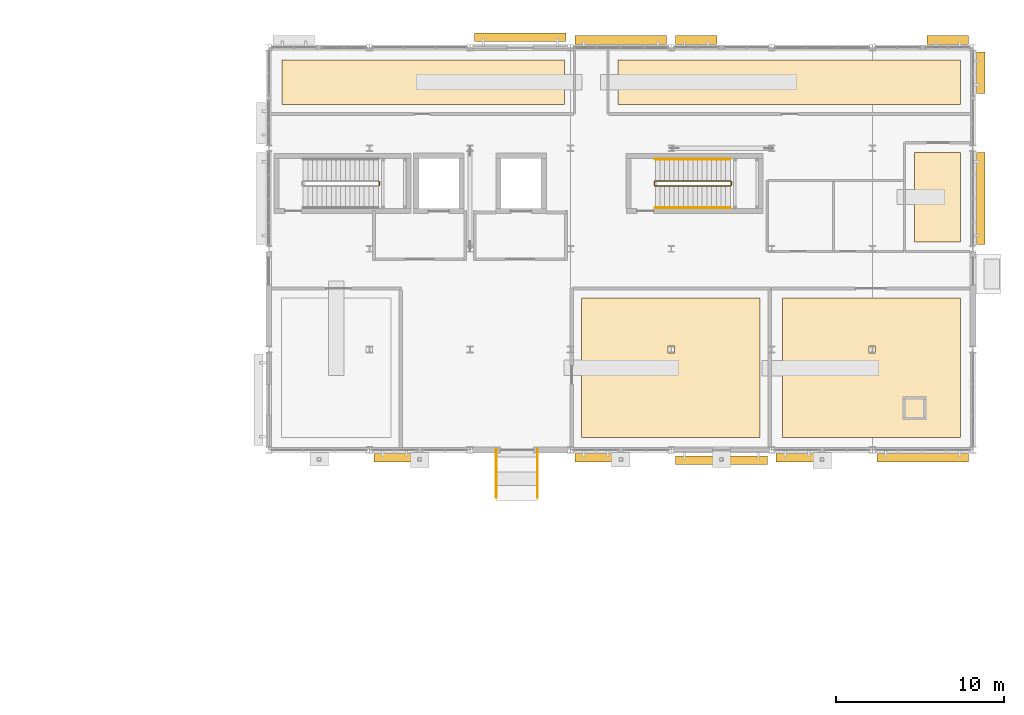
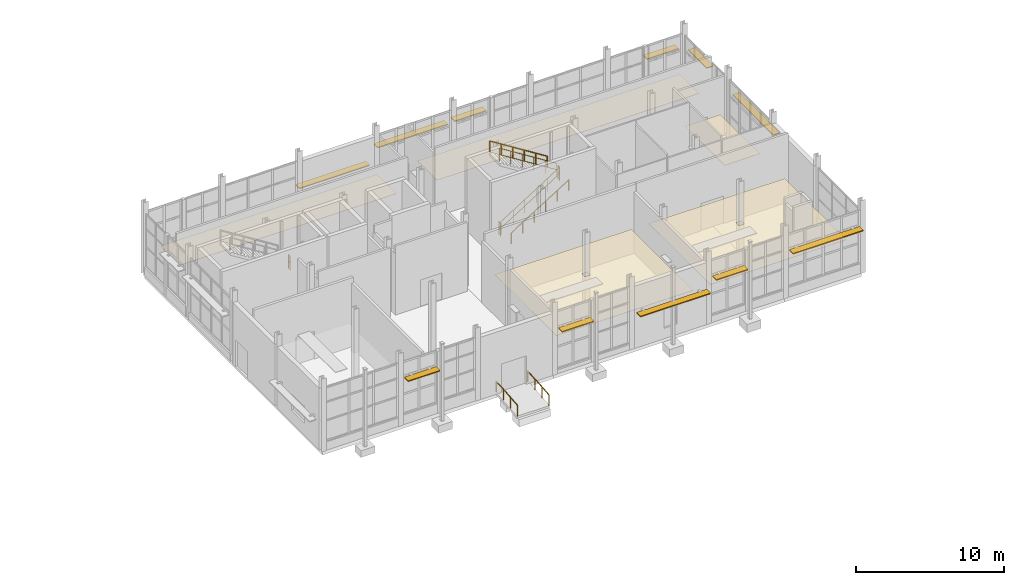
# One storey, part 119 of 120: 11 shading devices, 9 railings, 5 coverings.
"""IFC4 building model written with IfcOpenShell, lengths in metres."""

from ifc_helpers import new_model, si_unit, direction, frame, origin, origin_2d, place, context, subcontext, project, spatial, polyline, rectangle, circle, outline, extrude, material, layer, layer_set, type_object, element, save


model = new_model("IFC4")

# Units and contexts
model_context = context("Model", 3, precision=1e-05, world=origin(), true_north=direction((0.0, 1.0)))
body_context = subcontext(model_context, "Body", "Model", "MODEL_VIEW")
ifc_project = project(units=[si_unit("LENGTHUNIT", "METRE"), si_unit("AREAUNIT", "SQUARE_METRE"), si_unit("VOLUMEUNIT", "CUBIC_METRE"), si_unit("PLANEANGLEUNIT", "RADIAN"), si_unit("MASSUNIT", "GRAM", prefix="KILO")], contexts=[model_context])

# Site, building, storey
site_placement = place(None, origin())
site = spatial("IfcSite", under=ifc_project, at=site_placement, CompositionType="ELEMENT")
building_placement = place(site_placement, origin())
building = spatial("IfcBuilding", under=site, at=building_placement, Name="Siltcreek Boulevard Central Fire Station", CompositionType="ELEMENT")
storey_placement = place(building_placement, origin())
storey = spatial("IfcBuildingStorey", under=building, at=storey_placement, Name="L01", CompositionType="ELEMENT", Elevation=0.0)

# Coverings
ifc_material_1 = material(Name="Mineral-fiber acoustic ceiling tile", Category="gypsum")
ifc_layer_1 = layer(ifc_material_1, 0.02490234375, Name="Mineral-fiber acoustic ceiling tile")
ifc_layer_set_1 = layer_set([ifc_layer_1], Name="Mineral-fiber acoustic ceiling tile")
covering_type = type_object("IfcCoveringType", Name="COV_CEIL_ACT", PredefinedType="CEILING", material=ifc_layer_set_1)
covering_1_placement = place(storey_placement, frame((0.0, 0.0, 2.419921875)))
element("IfcCovering", 1, at=covering_1_placement, inside=storey, type_object=covering_type, Name="L01 Fire Prevention Bureau Office acoustic ceiling ACT-005", PredefinedType="CEILING", context=body_context, shape_type="SweptSolid", body=[
    extrude(outline(polyline([(142.85009765625, 88.949951171875), (153.5, 88.949951171875), (153.5, 97.260009765625), (142.85009765625, 97.260009765625), (142.85009765625, 88.949951171875)]), holes=[polyline([(148.0, 94.0), (148.39990234375, 94.0), (148.39990234375, 94.39990234375), (148.0, 94.39990234375), (148.0, 94.0)])]), origin(), (0.0, 0.0, 1.0), 0.025146484375),
])
covering_2_placement = place(storey_placement, frame((0.0, 0.0, 2.419921875)))
element("IfcCovering", 2, at=covering_2_placement, inside=storey, type_object=covering_type, Name="L01 Engineering Plan Review Suite acoustic ceiling ACT-006", PredefinedType="CEILING", context=body_context, shape_type="SweptSolid", body=[
    extrude(outline(polyline([(154.85009765625, 88.949951171875), (165.449951171875, 88.949951171875), (165.449951171875, 97.260009765625), (154.85009765625, 97.260009765625), (154.85009765625, 88.949951171875)]), holes=[polyline([(160.0, 94.0), (160.39990234375, 94.0), (160.39990234375, 94.39990234375), (160.0, 94.39990234375), (160.0, 94.0)])]), origin(), (0.0, 0.0, 1.0), 0.025146484375),
])
covering_3_placement = place(storey_placement, frame((0.0, 0.0, 2.419921875)))
element("IfcCovering", 3, at=covering_3_placement, inside=storey, type_object=covering_type, Name="L01 Public Records and Hydrant Map Room acoustic ceiling ACT-007", PredefinedType="CEILING", context=body_context, shape_type="SweptSolid", body=[
    extrude(outline(polyline([(125.0, 108.820068359375), (141.85009765625, 108.820068359375), (141.85009765625, 111.449951171875), (125.0, 111.449951171875), (125.0, 108.820068359375)])), origin(), (0.0, 0.0, 1.0), 0.025146484375),
])
covering_4_placement = place(storey_placement, frame((0.0, 0.0, 2.419921875)))
element("IfcCovering", 4, at=covering_4_placement, inside=storey, type_object=covering_type, Name="L01 Community Risk Reduction Office acoustic ceiling ACT-008", PredefinedType="CEILING", context=body_context, shape_type="SweptSolid", body=[
    extrude(outline(polyline([(145.02001953125, 108.820068359375), (165.449951171875, 108.820068359375), (165.449951171875, 111.449951171875), (145.02001953125, 111.449951171875), (145.02001953125, 108.820068359375)])), origin(), (0.0, 0.0, 1.0), 0.025146484375),
])
covering_5_placement = place(storey_placement, frame((0.0, 0.0, 2.419921875)))
element("IfcCovering", 5, at=covering_5_placement, inside=storey, type_object=covering_type, Name="L01 Permit Consultation Room acoustic ceiling ACT-009", PredefinedType="CEILING", context=body_context, shape_type="SweptSolid", body=[
    extrude(outline(polyline([(162.699951171875, 100.6201171875), (165.449951171875, 100.6201171875), (165.449951171875, 105.949951171875), (162.699951171875, 105.949951171875), (162.699951171875, 100.6201171875)])), origin(), (0.0, 0.0, 1.0), 0.025146484375),
])

# Railings
ifc_material_2 = material(Name="Painted galvanized steel stair guard", Category="steel")
railing_type_1 = type_object("IfcRailingType", Name="RL_ST_GUARD", PredefinedType="BALUSTRADE", material=ifc_material_2)
railing_1_placement = place(storey_placement, frame((130.780029296875, 104.0, 3.0)))
element("IfcRailing", 6, at=railing_1_placement, inside=storey, type_object=railing_type_1, Name="L01 ST-V5A stair guard 2", PredefinedType="BALUSTRADE", context=body_context, shape_type="SweptSolid", body=[
    extrude(circle(Radius=0.02392578125, at=origin_2d()), frame((0.0, 0.0, 1.076171875), z_axis=(0.0, 1.0, 0.0), x_axis=(-1.0, 0.0, 0.0)), (0.0, 0.0, 1.0), 0.199951171875),
    extrude(circle(Radius=0.02392578125, at=origin_2d()), frame((0.0, 0.0, 0.550048828125), z_axis=(0.0, 1.0, 0.0), x_axis=(-1.0, 0.0, 0.0)), (0.0, 0.0, 1.0), 0.199951171875),
    extrude(circle(Radius=0.02099609375, at=origin_2d()), origin(), (0.0, 0.0, 1.0), 1.052001953125),
    extrude(circle(Radius=0.02099609375, at=origin_2d()), frame((0.0, 0.199951171875, 0.0)), (0.0, 0.0, 1.0), 1.052001953125),
])
railing_2_placement = place(storey_placement, frame((147.25, 103.949951171875, 0.176513671875)))
element("IfcRailing", 7, at=railing_2_placement, inside=storey, type_object=railing_type_1, Name="L01 ST-V5B stair guard 1", PredefinedType="BALUSTRADE", context=body_context, shape_type="SweptSolid", body=[
    extrude(circle(Radius=0.02392578125, at=origin_2d()), frame((0.0, 0.0, 1.076171875), z_axis=(0.845997938375, 0.0, 0.533186166611), x_axis=(0.0, 1.0, 0.0)), (0.0, 0.0, 1.0), 5.29541015625),
    extrude(circle(Radius=0.02392578125, at=origin_2d()), frame((0.0, 0.0, 0.550048828125), z_axis=(0.845997938375, 0.0, 0.533186166611), x_axis=(0.0, 1.0, 0.0)), (0.0, 0.0, 1.0), 5.29541015625),
    extrude(circle(Radius=0.02099609375, at=origin_2d()), origin(), (0.0, 0.0, 1.0), 1.052001953125),
    extrude(circle(Radius=0.02099609375, at=origin_2d()), frame((0.89599609375, 0.0, 0.564697265625)), (0.0, 0.0, 1.0), 1.052001953125),
    extrude(circle(Radius=0.02099609375, at=origin_2d()), frame((1.7919921875, 0.0, 1.12939453125)), (0.0, 0.0, 1.0), 1.052001953125),
    extrude(circle(Radius=0.02099609375, at=origin_2d()), frame((2.68798828125, 0.0, 1.694091796875)), (0.0, 0.0, 1.0), 1.052001953125),
    extrude(circle(Radius=0.02099609375, at=origin_2d()), frame((3.583984375, 0.0, 2.2587890625)), (0.0, 0.0, 1.0), 1.052001953125),
    extrude(circle(Radius=0.02099609375, at=origin_2d()), frame((4.47998046875, 0.0, 2.823486328125)), (0.0, 0.0, 1.0), 1.052001953125),
])
railing_3_placement = place(storey_placement, frame((151.780029296875, 104.0, 3.0)))
element("IfcRailing", 8, at=railing_3_placement, inside=storey, type_object=railing_type_1, Name="L01 ST-V5B stair guard 2", PredefinedType="BALUSTRADE", context=body_context, shape_type="SweptSolid", body=[
    extrude(circle(Radius=0.02392578125, at=origin_2d()), frame((0.0, 0.0, 1.076171875), z_axis=(0.0, 1.0, 0.0), x_axis=(-1.0, 0.0, 0.0)), (0.0, 0.0, 1.0), 0.199951171875),
    extrude(circle(Radius=0.02392578125, at=origin_2d()), frame((0.0, 0.0, 0.550048828125), z_axis=(0.0, 1.0, 0.0), x_axis=(-1.0, 0.0, 0.0)), (0.0, 0.0, 1.0), 0.199951171875),
    extrude(circle(Radius=0.02099609375, at=origin_2d()), origin(), (0.0, 0.0, 1.0), 1.052001953125),
    extrude(circle(Radius=0.02099609375, at=origin_2d()), frame((0.0, 0.199951171875, 0.0)), (0.0, 0.0, 1.0), 1.052001953125),
])
railing_4_placement = place(storey_placement, frame((151.72998046875, 104.25, 3.176513671875)))
element("IfcRailing", 9, at=railing_4_placement, inside=storey, type_object=railing_type_1, Name="L01 ST-V5B stair guard 3", PredefinedType="BALUSTRADE", context=body_context, shape_type="SweptSolid", body=[
    extrude(circle(Radius=0.02392578125, at=origin_2d()), frame((0.0, 0.0, 1.076171875), z_axis=(-0.845997938375, 0.0, 0.533186166611), x_axis=(0.0, -1.0, 0.0)), (0.0, 0.0, 1.0), 5.29541015625),
    extrude(circle(Radius=0.02392578125, at=origin_2d()), frame((0.0, 0.0, 0.550048828125), z_axis=(-0.845997938375, 0.0, 0.533186166611), x_axis=(0.0, -1.0, 0.0)), (0.0, 0.0, 1.0), 5.29541015625),
    extrude(circle(Radius=0.02099609375, at=origin_2d()), origin(), (0.0, 0.0, 1.0), 1.052001953125),
    extrude(circle(Radius=0.02099609375, at=origin_2d()), frame((-0.89599609375, 0.0, 0.564697265625)), (0.0, 0.0, 1.0), 1.052001953125),
    extrude(circle(Radius=0.02099609375, at=origin_2d()), frame((-1.7919921875, 0.0, 1.12939453125)), (0.0, 0.0, 1.0), 1.052001953125),
    extrude(circle(Radius=0.02099609375, at=origin_2d()), frame((-2.68798828125, 0.0, 1.694091796875)), (0.0, 0.0, 1.0), 1.052001953125),
    extrude(circle(Radius=0.02099609375, at=origin_2d()), frame((-3.583984375, 0.0, 2.2587890625)), (0.0, 0.0, 1.0), 1.052001953125),
    extrude(circle(Radius=0.02099609375, at=origin_2d()), frame((-4.47998046875, 0.0, 2.823486328125)), (0.0, 0.0, 1.0), 1.052001953125),
])
railing_5_placement = place(storey_placement, frame((147.199951171875, 104.0, 0.0)))
element("IfcRailing", 10, at=railing_5_placement, inside=storey, type_object=railing_type_1, Name="L01 ST-V5B stair guard 4", PredefinedType="BALUSTRADE", context=body_context, shape_type="SweptSolid", body=[
    extrude(circle(Radius=0.02392578125, at=origin_2d()), frame((0.0, 0.0, 1.076171875), z_axis=(0.0, 1.0, 0.0), x_axis=(-1.0, 0.0, 0.0)), (0.0, 0.0, 1.0), 0.199951171875),
    extrude(circle(Radius=0.02392578125, at=origin_2d()), frame((0.0, 0.0, 0.550048828125), z_axis=(0.0, 1.0, 0.0), x_axis=(-1.0, 0.0, 0.0)), (0.0, 0.0, 1.0), 0.199951171875),
    extrude(circle(Radius=0.02099609375, at=origin_2d()), origin(), (0.0, 0.0, 1.0), 1.052001953125),
    extrude(circle(Radius=0.02099609375, at=origin_2d()), frame((0.0, 0.199951171875, 0.0)), (0.0, 0.0, 1.0), 1.052001953125),
])
ifc_material_3 = material(Name="Brushed stainless steel stair handrail", Category="steel")
railing_type_2 = type_object("IfcRailingType", Name="RL_ST_HAND", PredefinedType="HANDRAIL", material=ifc_material_3)
railing_6_placement = place(storey_placement, frame((147.25, 102.64990234375, 0.176513671875)))
element("IfcRailing", 11, at=railing_6_placement, inside=storey, type_object=railing_type_2, Name="L01 ST-V5B stair handrail 1", PredefinedType="HANDRAIL", context=body_context, shape_type="SweptSolid", body=[
    extrude(circle(Radius=0.02392578125, at=origin_2d()), frame((0.0, 0.0, 0.8759765625), z_axis=(0.845997938375, 0.0, 0.533186166611), x_axis=(0.0, 1.0, 0.0)), (0.0, 0.0, 1.0), 5.29541015625),
    extrude(circle(Radius=0.02099609375, at=origin_2d()), origin(), (0.0, 0.0, 1.0), 0.851806640625),
    extrude(circle(Radius=0.02099609375, at=origin_2d()), frame((0.89599609375, 0.0, 0.564697265625)), (0.0, 0.0, 1.0), 0.851806640625),
    extrude(circle(Radius=0.02099609375, at=origin_2d()), frame((1.7919921875, 0.0, 1.12939453125)), (0.0, 0.0, 1.0), 0.851806640625),
    extrude(circle(Radius=0.02099609375, at=origin_2d()), frame((2.68798828125, 0.0, 1.694091796875)), (0.0, 0.0, 1.0), 0.851806640625),
    extrude(circle(Radius=0.02099609375, at=origin_2d()), frame((3.583984375, 0.0, 2.2587890625)), (0.0, 0.0, 1.0), 0.851806640625),
    extrude(circle(Radius=0.02099609375, at=origin_2d()), frame((4.47998046875, 0.0, 2.823486328125)), (0.0, 0.0, 1.0), 0.851806640625),
])
railing_7_placement = place(storey_placement, frame((151.72998046875, 105.550048828125, 3.176513671875)))
element("IfcRailing", 12, at=railing_7_placement, inside=storey, type_object=railing_type_2, Name="L01 ST-V5B stair handrail 2", PredefinedType="HANDRAIL", context=body_context, shape_type="SweptSolid", body=[
    extrude(circle(Radius=0.02392578125, at=origin_2d()), frame((0.0, 0.0, 0.8759765625), z_axis=(-0.845997938375, 0.0, 0.533186166611), x_axis=(0.0, -1.0, 0.0)), (0.0, 0.0, 1.0), 5.29541015625),
    extrude(circle(Radius=0.02099609375, at=origin_2d()), origin(), (0.0, 0.0, 1.0), 0.851806640625),
    extrude(circle(Radius=0.02099609375, at=origin_2d()), frame((-0.89599609375, 0.0, 0.564697265625)), (0.0, 0.0, 1.0), 0.851806640625),
    extrude(circle(Radius=0.02099609375, at=origin_2d()), frame((-1.7919921875, 0.0, 1.12939453125)), (0.0, 0.0, 1.0), 0.851806640625),
    extrude(circle(Radius=0.02099609375, at=origin_2d()), frame((-2.68798828125, 0.0, 1.694091796875)), (0.0, 0.0, 1.0), 0.851806640625),
    extrude(circle(Radius=0.02099609375, at=origin_2d()), frame((-3.583984375, 0.0, 2.2587890625)), (0.0, 0.0, 1.0), 0.851806640625),
    extrude(circle(Radius=0.02099609375, at=origin_2d()), frame((-4.47998046875, 0.0, 2.823486328125)), (0.0, 0.0, 1.0), 0.851806640625),
])
for number, where, name in (
    (13, (137.77490234375, 85.3798828125, -0.239990234375), "Accessible ramp RM-04 handrail L"),
    (14, (140.22509765625, 85.3798828125, -0.239990234375), "Accessible ramp RM-04 handrail R"),
):
    element("IfcRailing", number, at=place(storey_placement, frame(where)), inside=storey, type_object=railing_type_2, Name=name, PredefinedType="HANDRAIL", context=body_context, shape_type="SweptSolid", body=[
        extrude(circle(Radius=0.02392578125, at=origin_2d()), frame((0.0, 0.0, 0.8759765625), z_axis=(0.0, 0.996546340804, 0.083038488854), x_axis=(-1.0, 0.0, 0.0)), (0.0, 0.0, 1.0), 2.89013671875),
        extrude(circle(Radius=0.02099609375, at=origin_2d()), origin(), (0.0, 0.0, 1.0), 0.851806640625),
        extrude(circle(Radius=0.02099609375, at=origin_2d()), frame((0.0, 0.9599609375, 0.080078125)), (0.0, 0.0, 1.0), 0.851806640625),
        extrude(circle(Radius=0.02099609375, at=origin_2d()), frame((0.0, 1.920166015625, 0.159912109375)), (0.0, 0.0, 1.0), 0.851806640625),
        extrude(circle(Radius=0.02099609375, at=origin_2d()), frame((0.0, 2.880126953125, 0.239990234375)), (0.0, 0.0, 1.0), 0.851806640625),
    ])

# Shading devices
ifc_material_4 = material(Name="Frey sage-green anodized tubular aluminum sunshade", Category="aluminium")
ifc_layer_2 = layer(ifc_material_4, 0.080078125, Name="Frey sage-green anodized tubular aluminum sunshade")
ifc_layer_set_2 = layer_set([ifc_layer_2], Name="Frey sage-green anodized tubular aluminum sunshade")
shading_device_type = type_object("IfcShadingDeviceType", Name="SHD_BRISE", PredefinedType="USERDEFINED", material=ifc_layer_set_2)
for number, where, z_axis, x_axis, name in (
    (15, (131.702392578125, 87.739990234375, 3.865478515625), (0.0, 0.0, 1.0), (1.0, 0.0, 0.0), "Anodized tubular aluminum brise-soleil SS-080"),
    (16, (143.702392578125, 87.739990234375, 3.73095703125), (0.0, 0.0, 1.0), (1.0, 0.0, 0.0), "Anodized tubular aluminum brise-soleil SS-081"),
):
    element("IfcShadingDevice", number, at=place(storey_placement, frame(where, z_axis=z_axis, x_axis=x_axis)), inside=storey, type_object=shading_device_type, Name=name, ObjectType="SUNSHADE", PredefinedType="USERDEFINED", context=body_context, shape_type="SweptSolid", body=[
        extrude(rectangle(XDim=2.47509765625, YDim=0.52001953125, at=origin_2d()), origin(), (0.0, 0.0, 1.0), 0.080078125),
    ])
shading_device_1_placement = place(storey_placement, frame((151.199951171875, 87.5849609375, 2.97998046875), z_axis=(0.0, 0.0, 1.0), x_axis=(1.0, 0.0, 0.0)))
element("IfcShadingDevice", 17, at=shading_device_1_placement, inside=storey, type_object=shading_device_type, Name="Anodized tubular aluminum brise-soleil SS-082", ObjectType="SUNSHADE", PredefinedType="USERDEFINED", context=body_context, shape_type="SweptSolid", body=[
    extrude(rectangle(XDim=5.469970703125, YDim=0.52001953125, at=origin_2d()), origin(), (0.0, 0.0, 1.0), 0.080078125),
])
shading_device_2_placement = place(storey_placement, frame((155.702392578125, 87.739990234375, 3.798095703125), z_axis=(0.0, 0.0, 1.0), x_axis=(1.0, 0.0, 0.0)))
element("IfcShadingDevice", 18, at=shading_device_2_placement, inside=storey, type_object=shading_device_type, Name="Anodized tubular aluminum brise-soleil SS-083", ObjectType="SUNSHADE", PredefinedType="USERDEFINED", context=body_context, shape_type="SweptSolid", body=[
    extrude(rectangle(XDim=2.47509765625, YDim=0.52001953125, at=origin_2d()), origin(), (0.0, 0.0, 1.0), 0.080078125),
])
for number, where, z_axis, x_axis, name in (
    (19, (163.199951171875, 87.739990234375, 3.865478515625), (0.0, 0.0, 1.0), (1.0, 0.0, 0.0), "Anodized tubular aluminum brise-soleil SS-084"),
    (20, (139.199951171875, 112.81494140625, 2.43994140625), (0.0, 0.0, 1.0), (-1.0, 0.0, 0.0), "Anodized tubular aluminum brise-soleil SS-086"),
    (21, (145.199951171875, 112.659912109375, 3.798095703125), (0.0, 0.0, 1.0), (-1.0, 0.0, 0.0), "Anodized tubular aluminum brise-soleil SS-087"),
):
    element("IfcShadingDevice", number, at=place(storey_placement, frame(where, z_axis=z_axis, x_axis=x_axis)), inside=storey, type_object=shading_device_type, Name=name, ObjectType="SUNSHADE", PredefinedType="USERDEFINED", context=body_context, shape_type="SweptSolid", body=[
        extrude(rectangle(XDim=5.469970703125, YDim=0.52001953125, at=origin_2d()), origin(), (0.0, 0.0, 1.0), 0.080078125),
    ])
for number, where, z_axis, x_axis, name in (
    (22, (149.702392578125, 112.659912109375, 3.865478515625), (0.0, 0.0, 1.0), (-1.0, 0.0, 0.0), "Anodized tubular aluminum brise-soleil SS-088"),
    (23, (164.697509765625, 112.659912109375, 3.73095703125), (0.0, 0.0, 1.0), (-1.0, 0.0, 0.0), "Anodized tubular aluminum brise-soleil SS-089"),
):
    element("IfcShadingDevice", number, at=place(storey_placement, frame(where, z_axis=z_axis, x_axis=x_axis)), inside=storey, type_object=shading_device_type, Name=name, ObjectType="SUNSHADE", PredefinedType="USERDEFINED", context=body_context, shape_type="SweptSolid", body=[
        extrude(rectangle(XDim=2.47509765625, YDim=0.52001953125, at=origin_2d()), origin(), (0.0, 0.0, 1.0), 0.080078125),
    ])
shading_device_3_placement = place(storey_placement, frame((166.659912109375, 103.199951171875, 3.68115234375), z_axis=(0.0, 0.0, 1.0), x_axis=(0.0, 1.0, 0.0)))
element("IfcShadingDevice", 24, at=shading_device_3_placement, inside=storey, type_object=shading_device_type, Name="Anodized tubular aluminum brise-soleil SS-093", ObjectType="SUNSHADE", PredefinedType="USERDEFINED", context=body_context, shape_type="SweptSolid", body=[
    extrude(rectangle(XDim=5.469970703125, YDim=0.52001953125, at=origin_2d()), origin(), (0.0, 0.0, 1.0), 0.080078125),
])
shading_device_4_placement = place(storey_placement, frame((166.659912109375, 110.697509765625, 3.74853515625), z_axis=(0.0, 0.0, 1.0), x_axis=(0.0, 1.0, 0.0)))
element("IfcShadingDevice", 25, at=shading_device_4_placement, inside=storey, type_object=shading_device_type, Name="Anodized tubular aluminum brise-soleil SS-094", ObjectType="SUNSHADE", PredefinedType="USERDEFINED", context=body_context, shape_type="SweptSolid", body=[
    extrude(rectangle(XDim=2.47509765625, YDim=0.52001953125, at=origin_2d()), origin(), (0.0, 0.0, 1.0), 0.080078125),
])

save(model, "model.ifc")
